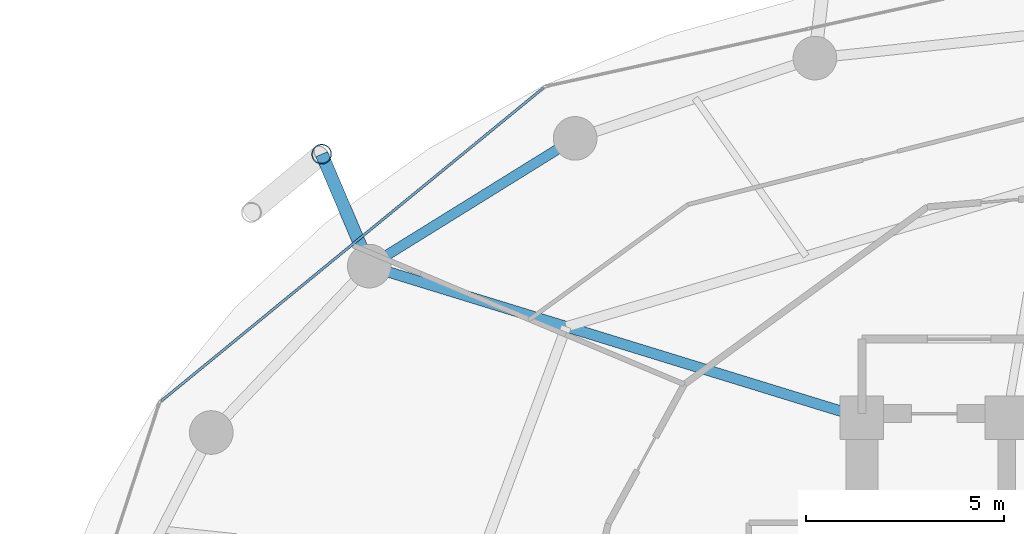
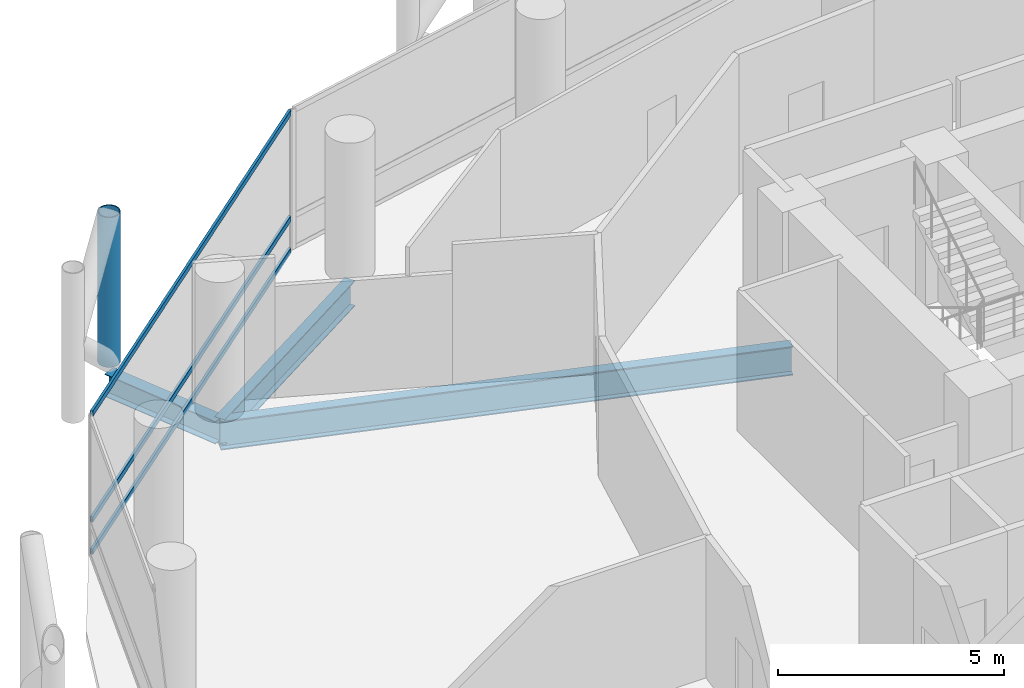
# One storey, part 14 of 25: 4 members, 3 beams, 1 element without a shape of its own.
"""IFC4 building model written with IfcOpenShell, lengths in metres."""

from ifc_helpers import new_model, si_unit, direction, frame, origin, origin_2d, place, context, subcontext, project, spatial, hollow_rectangle, hollow_circle, i_section, extrude, material, layer, layer_set, material_profile, profile_set, type_object, element, aggregate, save


model = new_model("IFC4")

# Units and contexts
model_context = context("Model", 3, precision=1e-05, world=origin(), true_north=direction((0.0, 1.0)))
body_context = subcontext(model_context, "Body", "Model", "MODEL_VIEW")
ifc_project = project(units=[si_unit("LENGTHUNIT", "METRE"), si_unit("AREAUNIT", "SQUARE_METRE"), si_unit("VOLUMEUNIT", "CUBIC_METRE"), si_unit("PLANEANGLEUNIT", "RADIAN"), si_unit("MASSUNIT", "GRAM", prefix="KILO")], contexts=[model_context])

# Site, building, storey
site_placement = place(None, origin())
site = spatial("IfcSite", under=ifc_project, at=site_placement, CompositionType="ELEMENT")
building_placement = place(site_placement, origin())
building = spatial("IfcBuilding", under=site, at=building_placement, Name="Nuhasar Tower", CompositionType="ELEMENT")
storey_placement = place(building_placement, frame((0.0, 0.0, 45.300048828125)))
storey = spatial("IfcBuildingStorey", under=building, at=storey_placement, Name="L10", CompositionType="ELEMENT", Elevation=45.300048828125)

# Beams
ifc_material_1 = material(Name="Steel S355", Category="steel")
ifc_material_profile_1 = material_profile(ifc_material_1, i_section(OverallWidth=0.26611328125, OverallDepth=0.779052734375, WebThickness=0.0166015625, FlangeThickness=0.030029296875, at=origin_2d()), Name="W30X148")
ifc_profile_set_1 = profile_set([ifc_material_profile_1], Name="Steel S355")
beam_type_1 = type_object("IfcBeamType", Name="BM-RAD-W30X148", PredefinedType="BEAM", material=ifc_profile_set_1)
beam_1_placement = place(storey_placement, frame((33.699951171875, 37.300048828125, -0.649169921875), z_axis=(-0.955789576103, 0.294051502653, 0.0), x_axis=(-0.294051502653, -0.955789576103, 0.0)))
element("IfcBeam", 1, at=beam_1_placement, inside=storey, type_object=beam_type_1, Name="L10 Radial Floor Girder 07", PredefinedType="BEAM", context=body_context, shape_type="SweptSolid", body=[
    extrude(i_section(OverallWidth=0.26611328125, OverallDepth=0.779052734375, WebThickness=0.0166015625, FlangeThickness=0.030029296875, at=origin_2d()), origin(), (0.0, 0.0, 1.0), 12.987060546875),
])
ifc_material_profile_2 = material_profile(ifc_material_1, i_section(OverallWidth=0.256103515625, OverallDepth=0.693115234375, WebThickness=0.014404296875, FlangeThickness=0.023681640625, at=origin_2d()), Name="W27X114")
ifc_profile_set_2 = profile_set([ifc_material_profile_2], Name="Steel S355")
beam_type_2 = type_object("IfcBeamType", Name="BM-RING-W27X114", PredefinedType="SPANDREL", material=ifc_profile_set_2)
beam_2_placement = place(storey_placement, frame((26.47509765625, 44.3369140625, -0.60595703125), z_axis=(-0.849795216549, -0.527112976439, 0.0), x_axis=(0.527112976439, -0.849795216549, 0.0)))
element("IfcBeam", 2, at=beam_2_placement, inside=storey, type_object=beam_type_2, Name="L10 Perimeter Ring Spandrel 09", PredefinedType="SPANDREL", context=body_context, shape_type="SweptSolid", body=[
    extrude(i_section(OverallWidth=0.256103515625, OverallDepth=0.693115234375, WebThickness=0.014404296875, FlangeThickness=0.023681640625, at=origin_2d()), origin(), (0.0, 0.0, 1.0), 6.10498046875),
])
ifc_material_profile_3 = material_profile(ifc_material_1, i_section(OverallWidth=0.323974609375, OverallDepth=0.611083984375, WebThickness=0.0126953125, FlangeThickness=0.01904296875, at=origin_2d()), Name="W24X104")
ifc_profile_set_3 = profile_set([ifc_material_profile_3], Name="Steel S355")
beam_type_3 = type_object("IfcBeamType", Name="BM-TIE-W24X104", PredefinedType="BEAM", material=ifc_profile_set_3)
beam_3_placement = place(storey_placement, frame((21.287109375, 41.118896484375, -0.566162109375), z_axis=(-0.391601084021, 0.920135093882, 0.0), x_axis=(-0.920135093882, -0.391601084021, 0.0)))
element("IfcBeam", 3, at=beam_3_placement, inside=storey, type_object=beam_type_3, Name="L10 Exoskeleton Node Tie Beam 05", PredefinedType="BEAM", context=body_context, shape_type="SweptSolid", body=[
    extrude(i_section(OverallWidth=0.323974609375, OverallDepth=0.611083984375, WebThickness=0.0126953125, FlangeThickness=0.01904296875, at=origin_2d()), origin(), (0.0, 0.0, 1.0), 3.06494140625),
])

# Curtain wall, members
ifc_material_2 = material(Name="Aluminium 6063-T6", Category="aluminium")
ifc_layer = layer(ifc_material_2, 0.199951171875)
ifc_layer_set = layer_set([ifc_layer], Name="Aluminium 6063-T6")
curtain_wall_type = type_object("IfcCurtainWallType", Name="CW-Z1-OFF", PredefinedType="NOTDEFINED", material=ifc_layer_set)
curtain_wall_placement = place(storey_placement, origin())
curtain_wall = element("IfcCurtainWall", 4, at=curtain_wall_placement, inside=storey, type_object=curtain_wall_type, Name="L10 Unitised Curtain Wall 05", PredefinedType="NOTDEFINED")
ifc_material_profile_4 = material_profile(ifc_material_2, hollow_rectangle(XDim=0.06494140625, YDim=0.14990234375, WallThickness=0.00439453125, at=origin_2d()), Name="CWT-2")
ifc_profile_set_4 = profile_set([ifc_material_profile_4], Name="Aluminium 6063-T6")
member_type_1 = type_object("IfcMemberType", Name="CW-TRN-S2", PredefinedType="USERDEFINED", material=ifc_profile_set_4)
member_1_placement = place(storey_placement, frame((25.669677734375, 45.603759765625, 0.032470703125), z_axis=(-0.773540851599, -0.633746440548, 0.0), x_axis=(0.633746440548, -0.773540851599, 0.0)))
member_1 = element("IfcMember", 5, at=member_1_placement, type_object=member_type_1, Name="CW-Z1 transom 1.1", ObjectType="TRANSOM", PredefinedType="USERDEFINED", context=body_context, shape_type="SweptSolid", body=[
    extrude(hollow_rectangle(XDim=0.06494140625, YDim=0.14990234375, WallThickness=0.00439453125, at=origin_2d()), origin(), (0.0, 0.0, 1.0), 12.43798828125),
])
member_2_placement = place(storey_placement, frame((25.669677734375, 45.603759765625, 0.89990234375), z_axis=(-0.773540851599, -0.633746440548, 0.0), x_axis=(0.633746440548, -0.773540851599, 0.0)))
member_2 = element("IfcMember", 6, at=member_2_placement, type_object=member_type_1, Name="CW-Z1 transom 1.2", ObjectType="TRANSOM", PredefinedType="USERDEFINED", context=body_context, shape_type="SweptSolid", body=[
    extrude(hollow_rectangle(XDim=0.06494140625, YDim=0.14990234375, WallThickness=0.00439453125, at=origin_2d()), origin(), (0.0, 0.0, 1.0), 12.43798828125),
])
member_3_placement = place(storey_placement, frame((25.669677734375, 45.603759765625, 3.757568359375), z_axis=(-0.773540851599, -0.633746440548, 0.0), x_axis=(0.633746440548, -0.773540851599, 0.0)))
member_3 = element("IfcMember", 7, at=member_3_placement, type_object=member_type_1, Name="CW-Z1 transom 1.3", ObjectType="TRANSOM", PredefinedType="USERDEFINED", context=body_context, shape_type="SweptSolid", body=[
    extrude(hollow_rectangle(XDim=0.06494140625, YDim=0.14990234375, WallThickness=0.00439453125, at=origin_2d()), origin(), (0.0, 0.0, 1.0), 12.43798828125),
])
aggregate(curtain_wall, [member_1, member_2, member_3])

# Member
ifc_material_3 = material(Name="Steel S460", Category="steel")
ifc_material_profile_5 = material_profile(ifc_material_3, hollow_circle(Radius=0.25390625, WallThickness=0.025390625, at=origin_2d()), Name="HSS508X25.4")
ifc_profile_set_5 = profile_set([ifc_material_profile_5], Name="Steel S460")
member_type_2 = type_object("IfcMemberType", Name="EXO-BRONZE-508", PredefinedType="BRACE", material=ifc_profile_set_5)
member_4_placement = place(storey_placement, frame((20.0869140625, 43.93896484375, 0.0), z_axis=(0.0, 0.0, 1.0), x_axis=(1.0, 0.0, 0.0)))
element("IfcMember", 8, at=member_4_placement, inside=storey, type_object=member_type_2, Name="L10 Exoskeleton Chord Column EC-05A", PredefinedType="BRACE", context=body_context, shape_type="SweptSolid", body=[
    extrude(hollow_circle(Radius=0.25390625, WallThickness=0.025390625, at=origin_2d()), origin(), (0.0, 0.0, 1.0), 4.050048828125),
])

save(model, "model.ifc")
